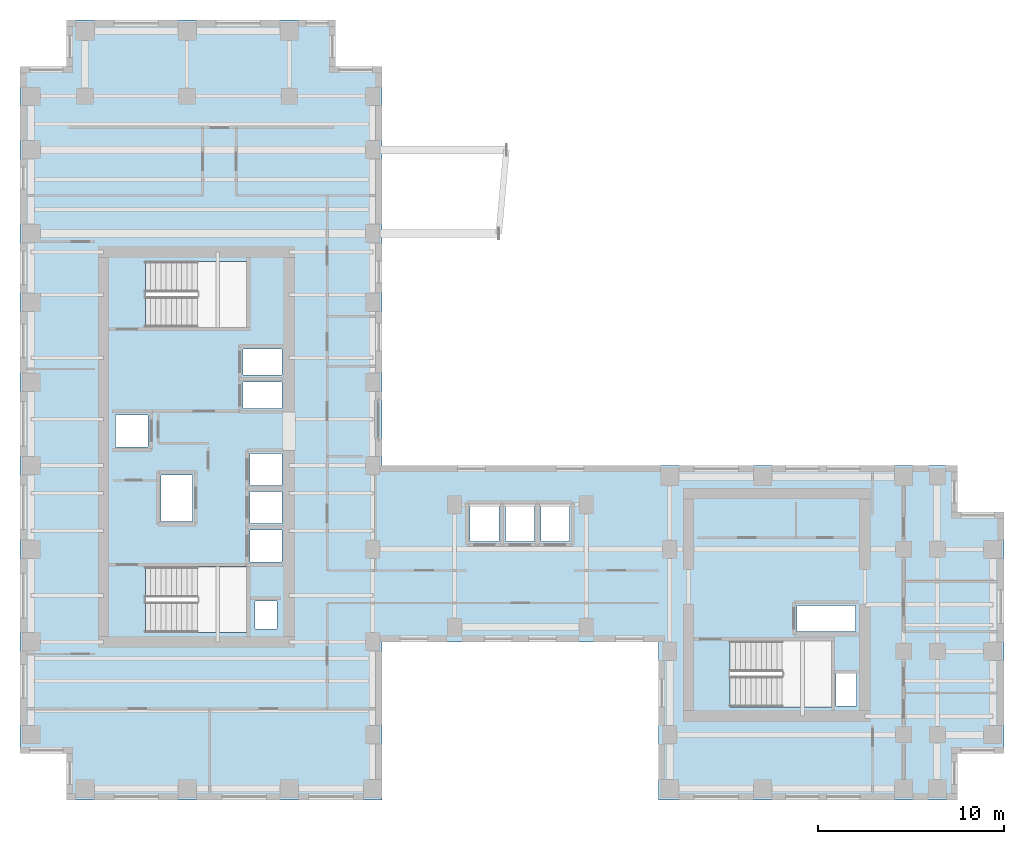
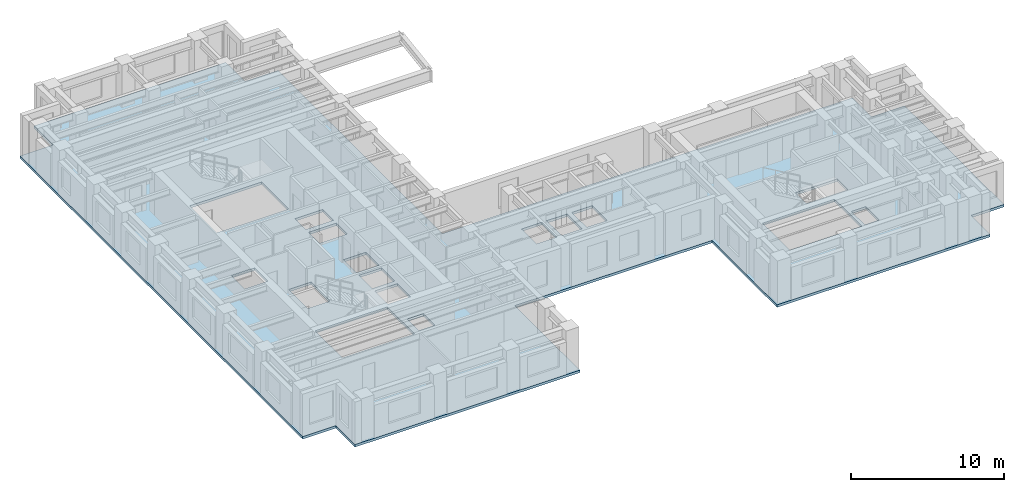
# One storey, part 4 of 13: 1 slab.
"""IFC4 building model written with IfcOpenShell, lengths in metres."""

from ifc_helpers import new_model, si_unit, direction, frame, origin, place, context, subcontext, project, spatial, polyline, outline, extrude, material, layer, layer_set, type_object, element, save


model = new_model("IFC4")

# Units and contexts
model_context = context("Model", 3, precision=1e-05, world=origin(), true_north=direction((0.0, 1.0)))
body_context = subcontext(model_context, "Body", "Model", "MODEL_VIEW")
ifc_project = project(units=[si_unit("LENGTHUNIT", "METRE"), si_unit("AREAUNIT", "SQUARE_METRE"), si_unit("VOLUMEUNIT", "CUBIC_METRE"), si_unit("PLANEANGLEUNIT", "RADIAN"), si_unit("MASSUNIT", "GRAM", prefix="KILO")], contexts=[model_context])

# Site, building, storey
site_placement = place(None, origin())
site = spatial("IfcSite", under=ifc_project, at=site_placement, CompositionType="ELEMENT")
building_placement = place(site_placement, origin())
building = spatial("IfcBuilding", under=site, at=building_placement, Name="Kharzan Plaza Tower", CompositionType="ELEMENT")
storey_placement = place(building_placement, frame((0.0, 0.0, 153.89990234375)))
storey = spatial("IfcBuildingStorey", under=building, at=storey_placement, Name="L41", CompositionType="ELEMENT", Elevation=153.89990234375)

# Slab
ifc_material = material(Name="Concrete C40/50", Category="concrete")
ifc_layer = layer(ifc_material, 0.199951171875)
ifc_layer_set = layer_set([ifc_layer], Name="Concrete C40/50")
slab_type = type_object("IfcSlabType", Name="SL-FLOOR-200", PredefinedType="FLOOR", material=ifc_layer_set)
slab_placement = place(storey_placement, frame((0.0, 0.0, -0.199951171875)))
element("IfcSlab", 1, at=slab_placement, inside=storey, type_object=slab_type, Name="L41 Composite Structural Floor Slab 200 mm", PredefinedType="FLOOR", context=body_context, shape_type="SweptSolid", body=[
    extrude(outline(polyline([(34.39990234375, 18.0), (19.5, 18.0), (19.5, 39.5), (17.0, 39.5), (17.0, 42.0), (2.5, 42.0), (2.5, 39.5), (0.0, 39.5), (0.0, 2.5), (2.5, 2.5), (2.5, 0.0), (19.5, 0.0), (19.5, 8.5), (34.39990234375, 8.5), (34.39990234375, 0.0), (50.5, 0.0), (50.5, 2.5), (53.0, 2.5), (53.0, 15.5), (50.5, 15.5), (50.5, 18.0), (34.39990234375, 18.0)]), holes=[polyline([(12.199951171875, 9.0), (12.199951171875, 12.550048828125), (6.75, 12.550048828125), (6.75, 9.0), (12.199951171875, 9.0)]), polyline([(14.10009765625, 12.800048828125), (14.10009765625, 14.530029296875), (12.39990234375, 14.530029296875), (12.39990234375, 12.800048828125), (14.10009765625, 12.800048828125)]), polyline([(14.10009765625, 14.8701171875), (14.10009765625, 16.60009765625), (12.39990234375, 16.60009765625), (12.39990234375, 14.8701171875), (14.10009765625, 14.8701171875)]), polyline([(9.300048828125, 15.0), (9.300048828125, 17.5), (7.60009765625, 17.5), (7.60009765625, 15.0), (9.300048828125, 15.0)]), polyline([(6.89990234375, 19.010009765625), (6.89990234375, 20.72998046875), (5.14990234375, 20.72998046875), (5.14990234375, 19.010009765625), (6.89990234375, 19.010009765625)]), polyline([(14.10009765625, 21.070068359375), (14.10009765625, 22.489990234375), (12.0, 22.489990234375), (12.0, 21.070068359375), (14.10009765625, 21.070068359375)]), polyline([(14.10009765625, 22.8701171875), (14.10009765625, 24.2900390625), (12.0, 24.2900390625), (12.0, 22.8701171875), (14.10009765625, 22.8701171875)]), polyline([(12.199951171875, 25.449951171875), (12.199951171875, 29.0), (6.75, 29.0), (6.75, 25.449951171875), (12.199951171875, 25.449951171875)]), polyline([(45.050048828125, 5.050048828125), (45.050048828125, 6.800048828125), (43.949951171875, 6.800048828125), (43.949951171875, 5.050048828125), (45.050048828125, 5.050048828125)]), polyline([(43.699951171875, 5.0), (43.699951171875, 8.550048828125), (38.25, 8.550048828125), (38.25, 5.0), (43.699951171875, 5.0)]), polyline([(45.0, 9.070068359375), (45.0, 10.469970703125), (41.85009765625, 10.469970703125), (41.85009765625, 9.070068359375), (45.0, 9.070068359375)]), polyline([(13.85009765625, 9.199951171875), (13.85009765625, 10.699951171875), (12.64990234375, 10.699951171875), (12.64990234375, 9.199951171875), (13.85009765625, 9.199951171875)]), polyline([(25.800048828125, 13.89990234375), (25.800048828125, 15.85009765625), (24.25, 15.85009765625), (24.25, 13.89990234375), (25.800048828125, 13.89990234375)]), polyline([(27.699951171875, 13.89990234375), (27.699951171875, 15.85009765625), (26.14990234375, 15.85009765625), (26.14990234375, 13.89990234375), (27.699951171875, 13.89990234375)]), polyline([(29.60009765625, 13.89990234375), (29.60009765625, 15.85009765625), (28.050048828125, 15.85009765625), (28.050048828125, 13.89990234375), (29.60009765625, 13.89990234375)]), polyline([(14.10009765625, 16.93994140625), (14.10009765625, 18.64990234375), (12.39990234375, 18.64990234375), (12.39990234375, 16.93994140625), (14.10009765625, 16.93994140625)])]), origin(), (0.0, 0.0, 1.0), 0.199951171875),
])

save(model, "model.ifc")
